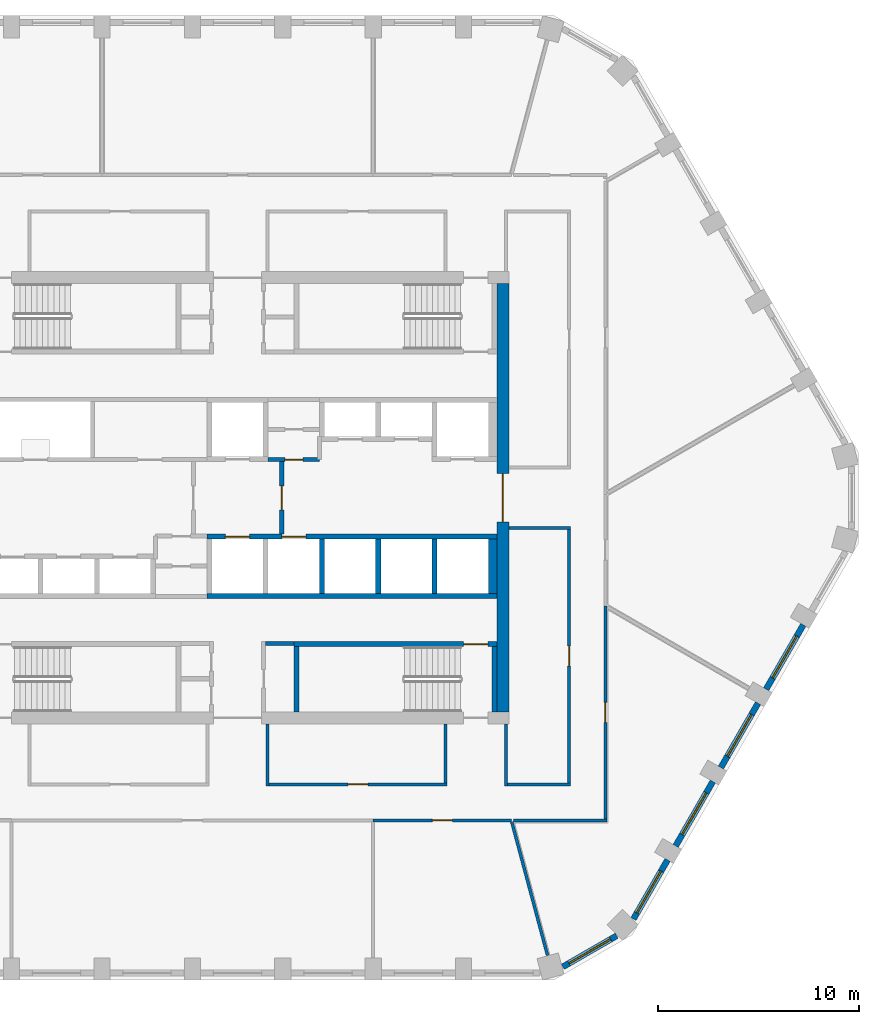
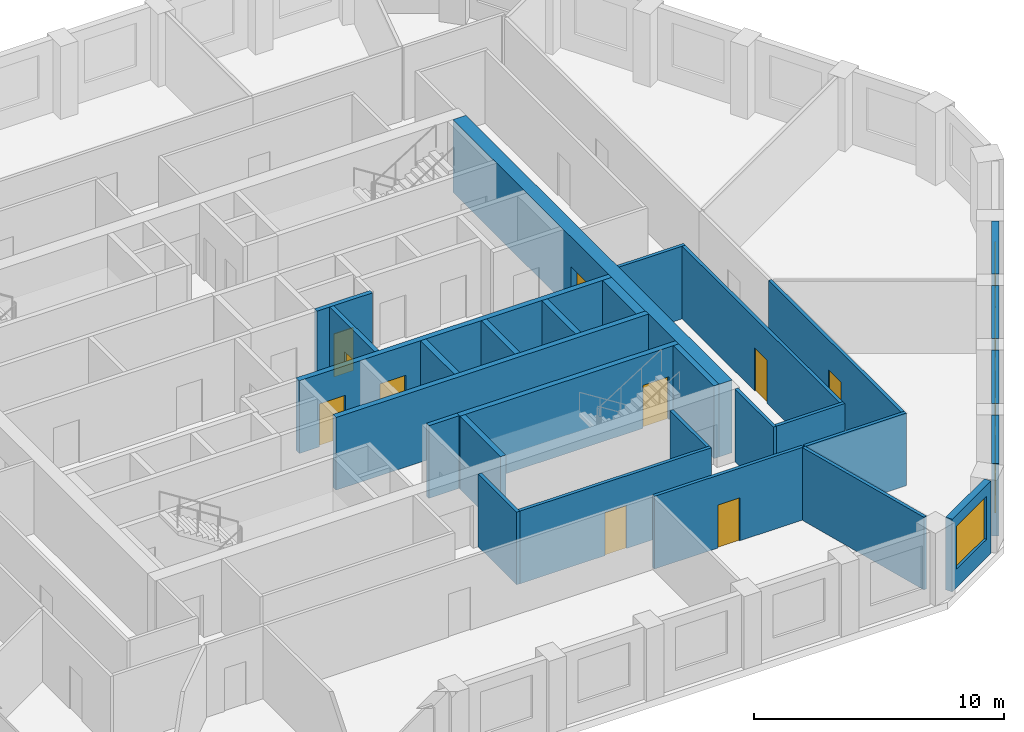
# One storey, part 4 of 13: 29 walls, 10 doors, 5 windows, 15 openings.
"""IFC4 building model written with IfcOpenShell, lengths in metres."""

import ifcopenshell
import ifcopenshell.guid

model = None  # the IFC model being written
_history = None  # IfcOwnerHistory: only IFC2X3 demands one
_inside = {}  # id of a spatial element -> (the spatial element, [elements in it])
_under = {}  # id of a project, library or spatial element -> (it, [spatial elements below it])
_declared = {}  # id of a project -> (the project, [libraries it declares])
_typed = {}  # id of a type object -> (the type object, [elements of that type])
_made_of = {}  # id of a material, layer set ... -> (it, [elements and type objects made of it])


def new_model(schema):
    """Start an empty IFC model of exactly this schema.

    Asked for "IFC4X3", IfcOpenShell would pick the latest addendum, in which some entities
    have other attributes; the version numbers below select the first issue.
    IFC2X3 requires an IfcOwnerHistory on every rooted entity: one is made here for all.
    """
    global model, _history
    if schema == "IFC4X3":
        model = ifcopenshell.file(schema_version=(4, 3, 0, 0))
    else:
        model = ifcopenshell.file(schema=schema)
    _inside.clear()
    _under.clear()
    _declared.clear()
    _typed.clear()
    _made_of.clear()
    _history = None
    if model.schema == "IFC2X3":
        org = make("IfcOrganization", Name="unknown")
        user = make(
            "IfcPersonAndOrganization",
            ThePerson=make("IfcPerson", FamilyName="unknown"),
            TheOrganization=org,
        )
        app = make(
            "IfcApplication",
            ApplicationDeveloper=org,
            Version="unknown",
            ApplicationFullName="unknown",
            ApplicationIdentifier="unknown",
        )
        _history = make(
            "IfcOwnerHistory",
            OwningUser=user,
            OwningApplication=app,
            ChangeAction="ADDED",
            CreationDate=0,
        )
    return model


def make(cls, **values):
    """One entity of the class cls with the attributes given. An attribute that is None is left unset."""
    return model.create_entity(
        cls, **{name: value for name, value in values.items() if value is not None}
    )


def rooted(cls, **values):
    """An entity with a GlobalId (a new one), such as an element, a storey or a relation."""
    return make(cls, GlobalId=ifcopenshell.guid.new(), OwnerHistory=_history, **values)


def si_unit(unit_type, name, prefix=None):
    """IfcSIUnit, for example si_unit("LENGTHUNIT", "METRE", prefix="MILLI")."""
    return make("IfcSIUnit", UnitType=unit_type, Prefix=prefix, Name=name)


def assignment(units):
    """IfcUnitAssignment: the units of a project."""
    return None if units is None else make("IfcUnitAssignment", Units=units)


def point(xyz):
    """IfcCartesianPoint."""
    return None if xyz is None else make("IfcCartesianPoint", Coordinates=xyz)


def direction(xyz):
    """IfcDirection."""
    return None if xyz is None else make("IfcDirection", DirectionRatios=xyz)


def frame(location, z_axis=None, x_axis=None):
    """IfcAxis2Placement3D, a coordinate frame: its origin and axes. An axis left out is left unset."""
    return make(
        "IfcAxis2Placement3D",
        Location=point(location),
        Axis=direction(z_axis),
        RefDirection=direction(x_axis),
    )


def frame_2d(location, x_axis=None):
    """IfcAxis2Placement2D, a coordinate frame in the plane: its origin and x axis."""
    return make(
        "IfcAxis2Placement2D", Location=point(location), RefDirection=direction(x_axis)
    )


def origin():
    """The frame at (0, 0, 0) with its axes left unset."""
    return frame((0.0, 0.0, 0.0))


def place(relative_to, where):
    """IfcLocalPlacement: puts the frame where relative to a parent placement (None: the world)."""
    return make(
        "IfcLocalPlacement", PlacementRelTo=relative_to, RelativePlacement=where
    )


def context(
    kind, dimensions, precision=None, world=None, true_north=None, identifier=None
):
    """IfcGeometricRepresentationContext, for example the 3D "Model" context."""
    return make(
        "IfcGeometricRepresentationContext",
        ContextIdentifier=identifier,
        ContextType=kind,
        CoordinateSpaceDimension=dimensions,
        Precision=precision,
        WorldCoordinateSystem=world,
        TrueNorth=true_north,
    )


def subcontext(parent, identifier, kind, view, scale=None):
    """IfcGeometricRepresentationSubContext, for example "Body" below "Model"."""
    return make(
        "IfcGeometricRepresentationSubContext",
        ContextIdentifier=identifier,
        ContextType=kind,
        ParentContext=parent,
        TargetScale=scale,
        TargetView=view,
    )


def project(units=None, contexts=None):
    """IfcProject with its units and contexts."""
    return rooted(
        "IfcProject",
        Name="project",
        RepresentationContexts=contexts,
        UnitsInContext=assignment(units),
    )


def spatial(cls, under=None, at=None, **own):
    """A site, building, storey or space (cls), placed at a placement, below another one or the project."""
    s = rooted(cls, ObjectPlacement=at, **own)
    if under is not None:
        _under.setdefault(under.id(), (under, []))[1].append(s)
    return s


def polyline(points):
    """IfcPolyline through the points."""
    return make("IfcPolyline", Points=[point(p) for p in points])


def profile(cls, at=None, kind="AREA", **sizes):
    """A parametric profile (cls). Its sizes go by their IFC names, for example OverallWidth=200.0."""
    return make(cls, ProfileType=kind, Position=at, **sizes)


def rectangle(**sizes):
    """IfcRectangleProfileDef."""
    return profile("IfcRectangleProfileDef", **sizes)


def outline(outer, holes=None, kind="AREA"):
    """IfcArbitraryClosedProfileDef: a profile drawn as a closed curve; with holes, ...WithVoids."""
    if holes is None:
        return make("IfcArbitraryClosedProfileDef", ProfileType=kind, OuterCurve=outer)
    return make(
        "IfcArbitraryProfileDefWithVoids",
        ProfileType=kind,
        OuterCurve=outer,
        InnerCurves=holes,
    )


def extrude(swept, where, along, depth):
    """IfcExtrudedAreaSolid: the profile swept, set in the frame where, extruded along a direction by depth."""
    return make(
        "IfcExtrudedAreaSolid",
        SweptArea=swept,
        Position=where,
        ExtrudedDirection=direction(along),
        Depth=depth,
    )


def shape(context_of_items, identifier, shape_type, items):
    """IfcShapeRepresentation: the items that make up one representation, for example the "Body"."""
    return make(
        "IfcShapeRepresentation",
        ContextOfItems=context_of_items,
        RepresentationIdentifier=identifier,
        RepresentationType=shape_type,
        Items=items,
    )


def material(Name=None, Category=None):
    """IfcMaterial."""
    return make("IfcMaterial", Name=Name, Category=Category)


def layer(
    of_material, thickness, ventilated=None, Name=None, Category=None, Priority=None
):
    """IfcMaterialLayer: one layer of a wall or slab, of a material (None: an air gap)."""
    return make(
        "IfcMaterialLayer",
        Material=of_material,
        LayerThickness=thickness,
        IsVentilated=ventilated,
        Name=Name,
        Category=Category,
        Priority=Priority,
    )


def layer_set(layers, Name=None):
    """IfcMaterialLayerSet."""
    return make("IfcMaterialLayerSet", MaterialLayers=layers, LayerSetName=Name)


def made_of(thing, what):
    """Note that an element or type object is made of a material, layer set ...; save() writes the relation."""
    if what is not None:
        _made_of.setdefault(what.id(), (what, []))[1].append(thing)
    return thing


def type_object(cls, material=None, **own):
    """A type object (cls), such as IfcWallType, which elements share."""
    return made_of(rooted(cls, **own), material)


def element(
    cls,
    number,
    at=None,
    inside=None,
    cuts=None,
    type_object=None,
    material=None,
    context=None,
    identifier="Body",
    shape_type=None,
    held_by="IfcProductDefinitionShape",
    body=None,
    shapes=None,
    **own,
):
    """One element of the class cls, such as IfcWall. Its Tag is "e" and its number.

    at: its placement. inside: the storey or other place that contains it. cuts: it is an
    opening in that element (IfcRelVoidsElement). A single representation is given by context,
    identifier, shape_type and body (its items); several are given by shapes. held_by: the class
    of the entity that holds the representations. save() writes the other relations.
    """
    e = rooted(cls, Tag="e%d" % number, ObjectPlacement=at, **own)
    if body is not None:
        shapes = [shape(context, identifier, shape_type, body)]
    if shapes is not None:
        e.Representation = make(held_by, Representations=shapes)
    if inside is not None:
        _inside.setdefault(inside.id(), (inside, []))[1].append(e)
    if cuts is not None:
        rooted(
            "IfcRelVoidsElement", RelatingBuildingElement=cuts, RelatedOpeningElement=e
        )
    if type_object is not None:
        _typed.setdefault(type_object.id(), (type_object, []))[1].append(e)
    return made_of(e, material)


def fill(opening, filler):
    """IfcRelFillsElement: the door or window that sits in an opening."""
    return rooted(
        "IfcRelFillsElement",
        RelatingOpeningElement=opening,
        RelatedBuildingElement=filler,
    )


def aggregate(whole, parts):
    """IfcRelAggregates: a whole, such as a stair, and the parts it consists of."""
    return rooted("IfcRelAggregates", RelatingObject=whole, RelatedObjects=parts)


def save(model, path):
    """Write the relations noted so far, then the file.

    IfcRelAggregates (storeys below a building ...), IfcRelContainedInSpatialStructure (elements
    in a storey), IfcRelDefinesByType, IfcRelAssociatesMaterial and IfcRelDeclares: one each for
    every whole, place, type object, material and project.
    """
    for whole, parts in _under.values():
        aggregate(whole, parts)
    for where, things in _inside.values():
        rooted(
            "IfcRelContainedInSpatialStructure",
            RelatedElements=things,
            RelatingStructure=where,
        )
    for kind, things in _typed.values():
        rooted("IfcRelDefinesByType", RelatedObjects=things, RelatingType=kind)
    for what, things in _made_of.values():
        rooted("IfcRelAssociatesMaterial", RelatedObjects=things, RelatingMaterial=what)
    for by, libraries in _declared.values():
        rooted("IfcRelDeclares", RelatingContext=by, RelatedDefinitions=libraries)
    model.write(path)


model = new_model("IFC4")

# Units and contexts
model_context = context("Model", 3, precision=1e-05, world=origin(), true_north=direction((0.0, 1.0)))
body_context = subcontext(model_context, "Body", "Model", "MODEL_VIEW")
ifc_project = project(units=[si_unit("LENGTHUNIT", "METRE"), si_unit("AREAUNIT", "SQUARE_METRE"), si_unit("VOLUMEUNIT", "CUBIC_METRE"), si_unit("PLANEANGLEUNIT", "RADIAN"), si_unit("MASSUNIT", "GRAM", prefix="KILO")], contexts=[model_context])

# Site, building, storey
site_placement = place(None, origin())
site = spatial("IfcSite", under=ifc_project, at=site_placement, CompositionType="ELEMENT")
building_placement = place(site_placement, origin())
building = spatial("IfcBuilding", under=site, at=building_placement, Name="Dhurran Vertical Campus", CompositionType="ELEMENT")
storey_placement = place(building_placement, frame((0.0, 0.0, 187.800048828125)))
storey = spatial("IfcBuildingStorey", under=building, at=storey_placement, Name="L46", CompositionType="ELEMENT", Elevation=187.800048828125)

# Wall, opening, window
ifc_material_1 = material(Name="Precast concrete C50/60", Category="concrete")
ifc_layer_1 = layer(ifc_material_1, 0.300048828125)
ifc_layer_set_1 = layer_set([ifc_layer_1], Name="Precast concrete C50/60")
wall_type_1 = type_object("IfcWallType", Name="Precast spandrel wall 300", PredefinedType="SOLIDWALL", material=ifc_layer_set_1)
wall_1_placement = place(storey_placement, frame((16.184326171875, -23.330810546875, 0.0), z_axis=(0.0, 0.0, 1.0), x_axis=(0.865994975416, 0.500052699777, 0.0)))
wall_1 = element("IfcWall", 1, at=wall_1_placement, inside=storey, type_object=wall_type_1, Name="EW1 L46.07", PredefinedType="SOLIDWALL", context=body_context, shape_type="SweptSolid", body=[
    extrude(rectangle(XDim=3.093017578125, YDim=0.300048828125, at=frame_2d((1.54638671875, 0.0))), origin(), (0.0, 0.0, 1.0), 3.550048828125),
])
opening_1_placement = place(wall_1_placement, frame((0.346435546875, 0.0, 0.89990234375)))
opening_1 = element("IfcOpeningElement", 2, at=opening_1_placement, cuts=wall_1, Name="Opening WT1", PredefinedType="OPENING", context=body_context, shape_type="SweptSolid", body=[
    extrude(rectangle(XDim=2.39990234375, YDim=2.10009765625, at=frame_2d((1.199951171875, 1.050048828125))), frame((0.0, 0.159912109375, 0.0), z_axis=(0.0, -1.0, 0.0), x_axis=(1.0, 0.0, 0.0)), (0.0, 0.0, 1.0), 0.320068359375),
])
ifc_material_2 = material(Name="Aluminium frame with solar-control glass", Category="aluminium")
window_type = type_object("IfcWindowType", Name="Punched window 2400 x 2100", PartitioningType="SINGLE_PANEL", PredefinedType="WINDOW", material=ifc_material_2)
window_1_placement = place(opening_1_placement, origin())
window_1 = element("IfcWindow", 3, at=window_1_placement, inside=storey, type_object=window_type, Name="WT1 L46.07", OverallHeight=2.10009765625, OverallWidth=2.39990234375, PartitioningType="SINGLE_PANEL", PredefinedType="WINDOW", context=body_context, shape_type="SweptSolid", body=[
    extrude(rectangle(XDim=2.39990234375, YDim=2.10009765625, at=frame_2d((1.199951171875, 1.050048828125))), frame((0.0, 0.030029296875, 0.0), z_axis=(0.0, -1.0, 0.0), x_axis=(1.0, 0.0, 0.0)), (0.0, 0.0, 1.0), 0.06005859375),
])
fill(opening_1, window_1)

wall_2_placement = place(storey_placement, frame((19.69580078125, -20.951171875, 0.0), z_axis=(0.0, 0.0, 1.0), x_axis=(0.500012868213, 0.866017974191, 0.0)))
wall_2 = element("IfcWall", 4, at=wall_2_placement, inside=storey, type_object=wall_type_1, Name="EW1 L46.08", PredefinedType="SOLIDWALL", context=body_context, shape_type="SweptSolid", body=[
    extrude(rectangle(XDim=3.39599609375, YDim=0.300048828125, at=frame_2d((1.697998046875, 0.0))), origin(), (0.0, 0.0, 1.0), 3.550048828125),
])
opening_2_placement = place(wall_2_placement, frame((0.346435546875, 0.0, 0.89990234375)))
opening_2 = element("IfcOpeningElement", 5, at=opening_2_placement, cuts=wall_2, Name="Opening WT1", PredefinedType="OPENING", context=body_context, shape_type="SweptSolid", body=[
    extrude(rectangle(XDim=2.39990234375, YDim=2.10009765625, at=frame_2d((1.199951171875, 1.050048828125))), frame((0.0, 0.159912109375, 0.0), z_axis=(0.0, -1.0, 0.0), x_axis=(1.0, 0.0, 0.0)), (0.0, 0.0, 1.0), 0.320068359375),
])
window_2_placement = place(opening_2_placement, origin())
window_2 = element("IfcWindow", 6, at=window_2_placement, inside=storey, type_object=window_type, Name="WT1 L46.08", OverallHeight=2.10009765625, OverallWidth=2.39990234375, PartitioningType="SINGLE_PANEL", PredefinedType="WINDOW", context=body_context, shape_type="SweptSolid", body=[
    extrude(rectangle(XDim=2.39990234375, YDim=2.10009765625, at=frame_2d((1.199951171875, 1.050048828125))), frame((0.0, 0.030029296875, 0.0), z_axis=(0.0, -1.0, 0.0), x_axis=(1.0, 0.0, 0.0)), (0.0, 0.0, 1.0), 0.06005859375),
])
fill(opening_2, window_2)

wall_3_placement = place(storey_placement, frame((21.794189453125, -17.316650390625, 0.0), z_axis=(0.0, 0.0, 1.0), x_axis=(0.500029062817, 0.866008623709, 0.0)))
wall_3 = element("IfcWall", 7, at=wall_3_placement, inside=storey, type_object=wall_type_1, Name="EW1 L46.09", PredefinedType="SOLIDWALL", context=body_context, shape_type="SweptSolid", body=[
    extrude(rectangle(XDim=3.698974609375, YDim=0.300048828125, at=frame_2d((1.849609375, 0.0))), origin(), (0.0, 0.0, 1.0), 3.550048828125),
])
opening_3_placement = place(wall_3_placement, frame((0.6494140625, 0.0, 0.89990234375)))
opening_3 = element("IfcOpeningElement", 8, at=opening_3_placement, cuts=wall_3, Name="Opening WT1", PredefinedType="OPENING", context=body_context, shape_type="SweptSolid", body=[
    extrude(rectangle(XDim=2.39990234375, YDim=2.10009765625, at=frame_2d((1.199951171875, 1.050048828125))), frame((0.0, 0.159912109375, 0.0), z_axis=(0.0, -1.0, 0.0), x_axis=(1.0, 0.0, 0.0)), (0.0, 0.0, 1.0), 0.320068359375),
])
window_3_placement = place(opening_3_placement, origin())
window_3 = element("IfcWindow", 9, at=window_3_placement, inside=storey, type_object=window_type, Name="WT1 L46.09", OverallHeight=2.10009765625, OverallWidth=2.39990234375, PartitioningType="SINGLE_PANEL", PredefinedType="WINDOW", context=body_context, shape_type="SweptSolid", body=[
    extrude(rectangle(XDim=2.39990234375, YDim=2.10009765625, at=frame_2d((1.199951171875, 1.050048828125))), frame((0.0, 0.030029296875, 0.0), z_axis=(0.0, -1.0, 0.0), x_axis=(1.0, 0.0, 0.0)), (0.0, 0.0, 1.0), 0.06005859375),
])
fill(opening_3, window_3)

wall_4_placement = place(storey_placement, frame((24.044189453125, -13.41943359375, 0.0), z_axis=(0.0, 0.0, 1.0), x_axis=(0.500029062817, 0.866008623709, 0.0)))
wall_4 = element("IfcWall", 10, at=wall_4_placement, inside=storey, type_object=wall_type_1, Name="EW1 L46.10", PredefinedType="SOLIDWALL", context=body_context, shape_type="SweptSolid", body=[
    extrude(rectangle(XDim=3.698974609375, YDim=0.300048828125, at=frame_2d((1.849609375, 0.0))), origin(), (0.0, 0.0, 1.0), 3.550048828125),
])
opening_4_placement = place(wall_4_placement, frame((0.6494140625, 0.0, 0.89990234375)))
opening_4 = element("IfcOpeningElement", 11, at=opening_4_placement, cuts=wall_4, Name="Opening WT1", PredefinedType="OPENING", context=body_context, shape_type="SweptSolid", body=[
    extrude(rectangle(XDim=2.39990234375, YDim=2.10009765625, at=frame_2d((1.199951171875, 1.050048828125))), frame((0.0, 0.159912109375, 0.0), z_axis=(0.0, -1.0, 0.0), x_axis=(1.0, 0.0, 0.0)), (0.0, 0.0, 1.0), 0.320068359375),
])
window_4_placement = place(opening_4_placement, origin())
window_4 = element("IfcWindow", 12, at=window_4_placement, inside=storey, type_object=window_type, Name="WT1 L46.10", OverallHeight=2.10009765625, OverallWidth=2.39990234375, PartitioningType="SINGLE_PANEL", PredefinedType="WINDOW", context=body_context, shape_type="SweptSolid", body=[
    extrude(rectangle(XDim=2.39990234375, YDim=2.10009765625, at=frame_2d((1.199951171875, 1.050048828125))), frame((0.0, 0.030029296875, 0.0), z_axis=(0.0, -1.0, 0.0), x_axis=(1.0, 0.0, 0.0)), (0.0, 0.0, 1.0), 0.06005859375),
])
fill(opening_4, window_4)

wall_5_placement = place(storey_placement, frame((26.294189453125, -9.5224609375, 0.0), z_axis=(0.0, 0.0, 1.0), x_axis=(0.500029062817, 0.866008623709, 0.0)))
wall_5 = element("IfcWall", 13, at=wall_5_placement, inside=storey, type_object=wall_type_1, Name="EW1 L46.11", PredefinedType="SOLIDWALL", context=body_context, shape_type="SweptSolid", body=[
    extrude(rectangle(XDim=3.698974609375, YDim=0.300048828125, at=frame_2d((1.849609375, 0.0))), origin(), (0.0, 0.0, 1.0), 3.550048828125),
])
opening_5_placement = place(wall_5_placement, frame((0.6494140625, 0.0, 0.89990234375)))
opening_5 = element("IfcOpeningElement", 14, at=opening_5_placement, cuts=wall_5, Name="Opening WT1", PredefinedType="OPENING", context=body_context, shape_type="SweptSolid", body=[
    extrude(rectangle(XDim=2.39990234375, YDim=2.10009765625, at=frame_2d((1.199951171875, 1.050048828125))), frame((0.0, 0.159912109375, 0.0), z_axis=(0.0, -1.0, 0.0), x_axis=(1.0, 0.0, 0.0)), (0.0, 0.0, 1.0), 0.320068359375),
])
window_5_placement = place(opening_5_placement, origin())
window_5 = element("IfcWindow", 15, at=window_5_placement, inside=storey, type_object=window_type, Name="WT1 L46.11", OverallHeight=2.10009765625, OverallWidth=2.39990234375, PartitioningType="SINGLE_PANEL", PredefinedType="WINDOW", context=body_context, shape_type="SweptSolid", body=[
    extrude(rectangle(XDim=2.39990234375, YDim=2.10009765625, at=frame_2d((1.199951171875, 1.050048828125))), frame((0.0, 0.030029296875, 0.0), z_axis=(0.0, -1.0, 0.0), x_axis=(1.0, 0.0, 0.0)), (0.0, 0.0, 1.0), 0.06005859375),
])
fill(opening_5, window_5)

# Wall, opening, door
ifc_material_3 = material(Name="Concrete C50/60", Category="concrete")
ifc_layer_2 = layer(ifc_material_3, 0.60009765625)
ifc_layer_set_2 = layer_set([ifc_layer_2], Name="Concrete C50/60")
wall_type_2 = type_object("IfcWallType", Name="co-CORE-WALL-C2-600", PredefinedType="SHEAR", material=ifc_layer_set_2)
wall_6_placement = place(storey_placement, frame((13.199951171875, -10.64990234375, 0.0), z_axis=(0.0, 0.0, 1.0), x_axis=(0.0, 1.0, 0.0)))
wall_6 = element("IfcWall", 16, at=wall_6_placement, inside=storey, type_object=wall_type_2, Name="Core wall E L46", PredefinedType="SHEAR", context=body_context, shape_type="SweptSolid", body=[
    extrude(rectangle(XDim=21.2998046875, YDim=0.60009765625, at=frame_2d((10.64990234375, 0.0))), origin(), (0.0, 0.0, 1.0), 3.550048828125),
])
opening_6_placement = place(wall_6_placement, frame((9.449951171875, 0.0, 0.0)))
opening_6 = element("IfcOpeningElement", 17, at=opening_6_placement, cuts=wall_6, Name="Opening CL2", PredefinedType="OPENING", context=body_context, shape_type="SweptSolid", body=[
    extrude(rectangle(XDim=2.39990234375, YDim=2.10009765625, at=frame_2d((1.199951171875, 1.050048828125))), frame((0.0, 0.31005859375, 0.0), z_axis=(0.0, -1.0, 0.0), x_axis=(1.0, 0.0, 0.0)), (0.0, 0.0, 1.0), 0.6201171875),
])
ifc_material_4 = material(Name="Fire-rated glazed door set")
door_type_1 = type_object("IfcDoorType", Name="co-D-LOBBY 2400x2100", OperationType="DOUBLE_DOOR_DOUBLE_SWING", PredefinedType="DOOR", material=ifc_material_4)
door_1_placement = place(opening_6_placement, origin())
door_1 = element("IfcDoor", 18, at=door_1_placement, inside=storey, type_object=door_type_1, Name="Lift lobby door E L46", OperationType="DOUBLE_DOOR_DOUBLE_SWING", OverallHeight=2.10009765625, OverallWidth=2.39990234375, PredefinedType="DOOR", context=body_context, shape_type="SweptSolid", body=[
    extrude(rectangle(XDim=2.39990234375, YDim=2.10009765625, at=frame_2d((1.199951171875, 1.050048828125))), frame((0.0, 0.02490234375, 0.0), z_axis=(0.0, -1.0, 0.0), x_axis=(1.0, 0.0, 0.0)), (0.0, 0.0, 1.0), 0.050048828125),
])
fill(opening_6, door_1)

ifc_material_5 = material(Name="Fire-rated masonry blockwork", Category="masonry")
ifc_layer_3 = layer(ifc_material_5, 0.199951171875)
ifc_layer_set_3 = layer_set([ifc_layer_3], Name="Fire-rated masonry blockwork")
wall_type_3 = type_object("IfcWallType", Name="co-FIRE-PARTITION-200", PredefinedType="PARTITIONING", material=ifc_layer_set_3)
wall_7_placement = place(storey_placement, frame((2.199951171875, -1.800048828125, 0.0), z_axis=(0.0, 0.0, 1.0), x_axis=(0.0, 1.0, 0.0)))
wall_7 = element("IfcWall", 19, at=wall_7_placement, inside=storey, type_object=wall_type_3, Name="Firefighting lobby wall E L46", PredefinedType="PARTITIONING", context=body_context, shape_type="SweptSolid", body=[
    extrude(rectangle(XDim=3.60009765625, YDim=0.199951171875, at=frame_2d((1.800048828125, 0.0))), origin(), (0.0, 0.0, 1.0), 3.550048828125),
])
opening_7_placement = place(wall_7_placement, frame((1.199951171875, 0.0, 0.0)))
opening_7 = element("IfcOpeningElement", 20, at=opening_7_placement, cuts=wall_7, Name="Opening FL2", PredefinedType="OPENING", context=body_context, shape_type="SweptSolid", body=[
    extrude(rectangle(XDim=1.199951171875, YDim=2.10009765625, at=frame_2d((0.60009765625, 1.050048828125))), frame((0.0, 0.10986328125, 0.0), z_axis=(0.0, -1.0, 0.0), x_axis=(1.0, 0.0, 0.0)), (0.0, 0.0, 1.0), 0.219970703125),
])
ifc_material_6 = material(Name="Fire-rated steel door set", Category="steel")
door_type_2 = type_object("IfcDoorType", Name="co-D-FFLOBBY 1200x2100", OperationType="SINGLE_SWING_LEFT", PredefinedType="DOOR", material=ifc_material_6)
door_2_placement = place(opening_7_placement, origin())
door_2 = element("IfcDoor", 21, at=door_2_placement, inside=storey, type_object=door_type_2, Name="Firefighting lobby door E L46", OperationType="SINGLE_SWING_LEFT", OverallHeight=2.10009765625, OverallWidth=1.199951171875, PredefinedType="DOOR", context=body_context, shape_type="SweptSolid", body=[
    extrude(rectangle(XDim=1.199951171875, YDim=2.10009765625, at=frame_2d((0.60009765625, 1.050048828125))), frame((0.0, 0.02490234375, 0.0), z_axis=(0.0, -1.0, 0.0), x_axis=(1.0, 0.0, 0.0)), (0.0, 0.0, 1.0), 0.050048828125),
])
fill(opening_7, door_2)

# Wall
wall_8_placement = place(storey_placement, frame((1.39990234375, -7.25, 0.0), z_axis=(0.0, 0.0, 1.0), x_axis=(1.0, 0.0, 0.0)))
element("IfcWall", 22, at=wall_8_placement, inside=storey, type_object=wall_type_3, Name="Core partition sl-SE-S L46", PredefinedType="PARTITIONING", context=body_context, shape_type="SweptSolid", body=[
    extrude(rectangle(XDim=1.400146484375, YDim=0.199951171875, at=frame_2d((0.7001953125, 0.0))), origin(), (0.0, 0.0, 1.0), 3.550048828125),
])

# Wall, opening, door
wall_9_placement = place(storey_placement, frame((1.52490234375, 1.89990234375, 0.0), z_axis=(0.0, 0.0, 1.0), x_axis=(1.0, 0.0, 0.0)))
wall_9 = element("IfcWall", 23, at=wall_9_placement, inside=storey, type_object=wall_type_3, Name="Core partition fr-N1-f L46", PredefinedType="PARTITIONING", context=body_context, shape_type="SweptSolid", body=[
    extrude(rectangle(XDim=2.550048828125, YDim=0.199951171875, at=frame_2d((1.27490234375, 0.0))), origin(), (0.0, 0.0, 1.0), 3.550048828125),
])
opening_8_placement = place(wall_9_placement, frame((0.824951171875, 0.0, 0.0)))
opening_8 = element("IfcOpeningElement", 24, at=opening_8_placement, cuts=wall_9, Name="Opening T13-C11", PredefinedType="OPENING", context=body_context, shape_type="SweptSolid", body=[
    extrude(rectangle(XDim=0.89990234375, YDim=2.10009765625, at=frame_2d((0.449951171875, 1.050048828125))), frame((0.0, 0.10986328125, 0.0), z_axis=(0.0, -1.0, 0.0), x_axis=(1.0, 0.0, 0.0)), (0.0, 0.0, 1.0), 0.219970703125),
])
ifc_material_7 = material(Name="Fire-rated timber door set", Category="wood")
door_type_3 = type_object("IfcDoorType", Name="co-D-ROOM 900x2100", OperationType="SINGLE_SWING_LEFT", PredefinedType="DOOR", material=ifc_material_7)
door_3_placement = place(opening_8_placement, origin())
door_3 = element("IfcDoor", 25, at=door_3_placement, inside=storey, type_object=door_type_3, Name="Pantry door L46", OperationType="SINGLE_SWING_LEFT", OverallHeight=2.10009765625, OverallWidth=0.89990234375, PredefinedType="DOOR", context=body_context, shape_type="SweptSolid", body=[
    extrude(rectangle(XDim=0.89990234375, YDim=2.10009765625, at=frame_2d((0.449951171875, 1.050048828125))), frame((0.0, 0.02490234375, 0.0), z_axis=(0.0, -1.0, 0.0), x_axis=(1.0, 0.0, 0.0)), (0.0, 0.0, 1.0), 0.050048828125),
])
fill(opening_8, door_3)

# Wall, openings, doors
ifc_material_8 = material(Name="Concrete C50/60", Category="concrete")
ifc_layer_4 = layer(ifc_material_8, 0.25)
ifc_layer_set_4 = layer_set([ifc_layer_4], Name="Concrete C50/60")
wall_type_4 = type_object("IfcWallType", Name="co-SHAFT-FRONT-250", PredefinedType="SHEAR", material=ifc_layer_set_4)
wall_10_placement = place(storey_placement, frame((-1.52490234375, -1.925048828125, 0.0), z_axis=(0.0, 0.0, 1.0), x_axis=(1.0, 0.0, 0.0)))
wall_10 = element("IfcWall", 26, at=wall_10_placement, inside=storey, type_object=wall_type_4, Name="Lift landing wall S L46", PredefinedType="SHEAR", context=body_context, shape_type="SweptSolid", body=[
    extrude(rectangle(XDim=14.4248046875, YDim=0.25, at=frame_2d((7.21240234375, 0.0))), origin(), (0.0, 0.0, 1.0), 3.550048828125),
])
opening_9_placement = place(wall_10_placement, frame((0.925048828125, 0.0, 0.0)))
opening_9 = element("IfcOpeningElement", 27, at=opening_9_placement, cuts=wall_10, Name="Opening LD", PredefinedType="OPENING", context=body_context, shape_type="SweptSolid", body=[
    extrude(rectangle(XDim=1.199951171875, YDim=2.10009765625, at=frame_2d((0.60009765625, 1.050048828125))), frame((0.0, 0.135009765625, 0.0), z_axis=(0.0, -1.0, 0.0), x_axis=(1.0, 0.0, 0.0)), (0.0, 0.0, 1.0), 0.27001953125),
])
opening_10_placement = place(wall_10_placement, frame((3.72509765625, 0.0, 0.0)))
opening_10 = element("IfcOpeningElement", 28, at=opening_10_placement, cuts=wall_10, Name="Opening LD", PredefinedType="OPENING", context=body_context, shape_type="SweptSolid", body=[
    extrude(rectangle(XDim=1.199951171875, YDim=2.10009765625, at=frame_2d((0.60009765625, 1.050048828125))), frame((0.0, 0.135009765625, 0.0), z_axis=(0.0, -1.0, 0.0), x_axis=(1.0, 0.0, 0.0)), (0.0, 0.0, 1.0), 0.27001953125),
])
ifc_material_9 = material(Name="Stainless steel landing door", Category="steel")
door_type_4 = type_object("IfcDoorType", Name="co-D-LANDING 1200x2100", OperationType="DOUBLE_DOOR_SLIDING", PredefinedType="DOOR", material=ifc_material_9)
door_4_placement = place(opening_9_placement, origin())
door_4 = element("IfcDoor", 29, at=door_4_placement, inside=storey, type_object=door_type_4, Name="Landing door FF2 L46", OperationType="DOUBLE_DOOR_SLIDING", OverallHeight=2.10009765625, OverallWidth=1.199951171875, PredefinedType="DOOR", context=body_context, shape_type="SweptSolid", body=[
    extrude(rectangle(XDim=1.199951171875, YDim=2.10009765625, at=frame_2d((0.60009765625, 1.050048828125))), frame((0.0, 0.02490234375, 0.0), z_axis=(0.0, -1.0, 0.0), x_axis=(1.0, 0.0, 0.0)), (0.0, 0.0, 1.0), 0.050048828125),
])
fill(opening_9, door_4)
door_5_placement = place(opening_10_placement, origin())
door_5 = element("IfcDoor", 30, at=door_5_placement, inside=storey, type_object=door_type_4, Name="Landing door SV1 L46", OperationType="DOUBLE_DOOR_SLIDING", OverallHeight=2.10009765625, OverallWidth=1.199951171875, PredefinedType="DOOR", context=body_context, shape_type="SweptSolid", body=[
    extrude(rectangle(XDim=1.199951171875, YDim=2.10009765625, at=frame_2d((0.60009765625, 1.050048828125))), frame((0.0, 0.02490234375, 0.0), z_axis=(0.0, -1.0, 0.0), x_axis=(1.0, 0.0, 0.0)), (0.0, 0.0, 1.0), 0.050048828125),
])
fill(opening_10, door_5)

# Walls
ifc_material_10 = material(Name="Concrete C50/60", Category="concrete")
ifc_layer_5 = layer(ifc_material_10, 0.25)
ifc_layer_set_5 = layer_set([ifc_layer_5], Name="Concrete C50/60")
wall_type_5 = type_object("IfcWallType", Name="co-SHAFT-MASS-250", PredefinedType="SHEAR", material=ifc_layer_set_5)
wall_11_placement = place(storey_placement, origin())
element("IfcWall", 31, at=wall_11_placement, inside=storey, type_object=wall_type_5, Name="Lift shaft wall S L46 2", PredefinedType="SHEAR", context=body_context, shape_type="SweptSolid", body=[
    extrude(outline(polyline([(-1.52490234375, -5.0), (12.89990234375, -5.0), (12.89990234375, -4.75), (-1.52490234375, -4.75), (-1.52490234375, -5.0)])), origin(), (0.0, 0.0, 1.0), 3.550048828125),
])
wall_12_placement = place(storey_placement, origin())
element("IfcWall", 32, at=wall_12_placement, inside=storey, type_object=wall_type_5, Name="Lift shaft wall S L46 9", PredefinedType="SHEAR", context=body_context, shape_type="SweptSolid", body=[
    extrude(outline(polyline([(4.074951171875, -4.75), (4.324951171875, -4.75), (4.324951171875, -2.050048828125), (4.074951171875, -2.050048828125), (4.074951171875, -4.75)])), origin(), (0.0, 0.0, 1.0), 3.550048828125),
])
wall_13_placement = place(storey_placement, origin())
element("IfcWall", 33, at=wall_13_placement, inside=storey, type_object=wall_type_5, Name="Lift shaft wall S L46 10", PredefinedType="SHEAR", context=body_context, shape_type="SweptSolid", body=[
    extrude(outline(polyline([(6.875, -4.75), (7.125, -4.75), (7.125, -2.050048828125), (6.875, -2.050048828125), (6.875, -4.75)])), origin(), (0.0, 0.0, 1.0), 3.550048828125),
])
wall_14_placement = place(storey_placement, origin())
element("IfcWall", 34, at=wall_14_placement, inside=storey, type_object=wall_type_5, Name="Lift shaft wall S L46 11", PredefinedType="SHEAR", context=body_context, shape_type="SweptSolid", body=[
    extrude(outline(polyline([(9.675048828125, -4.75), (9.925048828125, -4.75), (9.925048828125, -2.050048828125), (9.675048828125, -2.050048828125), (9.675048828125, -4.75)])), origin(), (0.0, 0.0, 1.0), 3.550048828125),
])
wall_15_placement = place(storey_placement, origin())
element("IfcWall", 35, at=wall_15_placement, inside=storey, type_object=wall_type_5, Name="Lift shaft wall S L46 12", PredefinedType="SHEAR", context=body_context, shape_type="SweptSolid", body=[
    extrude(outline(polyline([(12.47509765625, -4.75), (12.89990234375, -4.75), (12.89990234375, -2.050048828125), (12.47509765625, -2.050048828125), (12.47509765625, -4.75)])), origin(), (0.0, 0.0, 1.0), 3.550048828125),
])

# Wall, opening, door
ifc_material_11 = material(Name="Concrete C40/50", Category="concrete")
ifc_layer_6 = layer(ifc_material_11, 0.25)
ifc_layer_set_6 = layer_set([ifc_layer_6], Name="Concrete C40/50")
wall_type_6 = type_object("IfcWallType", Name="co-STAIR-WALL-250", PredefinedType="SHEAR", material=ifc_layer_set_6)
wall_16_placement = place(storey_placement, frame((2.800048828125, -7.27490234375, 0.0), z_axis=(0.0, 0.0, 1.0), x_axis=(1.0, 0.0, 0.0)))
wall_16 = element("IfcWall", 36, at=wall_16_placement, inside=storey, type_object=wall_type_6, Name="Stair ST4 enclosure wall L46", PredefinedType="SHEAR", context=body_context, shape_type="SweptSolid", body=[
    extrude(rectangle(XDim=10.099853515625, YDim=0.25, at=frame_2d((5.0498046875, 0.0))), origin(), (0.0, 0.0, 1.0), 3.550048828125),
])
opening_11_placement = place(wall_16_placement, frame((8.449951171875, 0.0, 0.0)))
opening_11 = element("IfcOpeningElement", 37, at=opening_11_placement, cuts=wall_16, Name="Opening SD4", PredefinedType="OPENING", context=body_context, shape_type="SweptSolid", body=[
    extrude(rectangle(XDim=1.199951171875, YDim=2.10009765625, at=frame_2d((0.60009765625, 1.050048828125))), frame((0.0, 0.135009765625, 0.0), z_axis=(0.0, -1.0, 0.0), x_axis=(1.0, 0.0, 0.0)), (0.0, 0.0, 1.0), 0.27001953125),
])
ifc_material_12 = material(Name="Fire-rated steel door set", Category="steel")
door_type_5 = type_object("IfcDoorType", Name="co-D-STAIR 1200x2100", OperationType="SINGLE_SWING_LEFT", PredefinedType="DOOR", material=ifc_material_12)
door_6_placement = place(opening_11_placement, origin())
door_6 = element("IfcDoor", 38, at=door_6_placement, inside=storey, type_object=door_type_5, Name="Stair ST4 door L46", OperationType="SINGLE_SWING_LEFT", OverallHeight=2.10009765625, OverallWidth=1.199951171875, PredefinedType="DOOR", context=body_context, shape_type="SweptSolid", body=[
    extrude(rectangle(XDim=1.199951171875, YDim=2.10009765625, at=frame_2d((0.60009765625, 1.050048828125))), frame((0.0, 0.02490234375, 0.0), z_axis=(0.0, -1.0, 0.0), x_axis=(1.0, 0.0, 0.0)), (0.0, 0.0, 1.0), 0.050048828125),
])
fill(opening_11, door_6)

# Walls
for number, where, z_axis, x_axis, name in (
    (39, (2.925048828125, -10.64990234375, 0.0), (0.0, 0.0, 1.0), (0.0, 1.0, 0.0), "Stair ST4 enclosure wall L46"),
    (40, (12.77490234375, -10.64990234375, 0.0), (0.0, 0.0, 1.0), (0.0, 1.0, 0.0), "Stair ST4 enclosure wall L46"),
):
    element("IfcWall", number, at=place(storey_placement, frame(where, z_axis=z_axis, x_axis=x_axis)), inside=storey, type_object=wall_type_6, Name=name, PredefinedType="SHEAR", context=body_context, shape_type="SweptSolid", body=[
        extrude(rectangle(XDim=3.25, YDim=0.25, at=frame_2d((1.625, 0.0))), origin(), (0.0, 0.0, 1.0), 3.550048828125),
    ])
ifc_material_13 = material(Name="Gypsum board corridor wall on steel studs", Category="steel")
ifc_layer_7 = layer(ifc_material_13, 0.14990234375)
ifc_layer_set_7 = layer_set([ifc_layer_7], Name="Gypsum board corridor wall on steel studs")
wall_type_7 = type_object("IfcWallType", Name="fl-CW-150 corridor wall", PredefinedType="PARTITIONING", material=ifc_layer_set_7)
wall_17_placement = place(storey_placement, frame((1.5, -14.324951171875, 0.0), z_axis=(0.0, 0.0, 1.0), x_axis=(0.0, 1.0, 0.0)))
element("IfcWall", 41, at=wall_17_placement, inside=storey, type_object=wall_type_7, Name="Partition 46-34", PredefinedType="PARTITIONING", context=body_context, shape_type="SweptSolid", body=[
    extrude(rectangle(XDim=3.074951171875, YDim=0.14990234375, at=frame_2d((1.53759765625, 0.0))), origin(), (0.0, 0.0, 1.0), 3.550048828125),
])

# Wall, opening, door
wall_18_placement = place(storey_placement, frame((10.425048828125, -14.25, 0.0), z_axis=(0.0, 0.0, 1.0), x_axis=(-1.0, 0.0, 0.0)))
wall_18 = element("IfcWall", 42, at=wall_18_placement, inside=storey, type_object=wall_type_7, Name="Partition 46-35", PredefinedType="PARTITIONING", context=body_context, shape_type="SweptSolid", body=[
    extrude(rectangle(XDim=8.85009765625, YDim=0.14990234375, at=frame_2d((4.425048828125, 0.0))), origin(), (0.0, 0.0, 1.0), 3.550048828125),
])
opening_12_placement = place(wall_18_placement, frame((3.925048828125, 0.0, 0.0)))
opening_12 = element("IfcOpeningElement", 43, at=opening_12_placement, cuts=wall_18, Name="Opening T13.14", PredefinedType="OPENING", context=body_context, shape_type="SweptSolid", body=[
    extrude(rectangle(XDim=1.0, YDim=2.10009765625, at=frame_2d((0.5, 1.050048828125))), frame((0.0, 0.0849609375, 0.0), z_axis=(0.0, -1.0, 0.0), x_axis=(1.0, 0.0, 0.0)), (0.0, 0.0, 1.0), 0.169921875),
])
ifc_material_14 = material(Name="Solid-core timber door set, fire-rated", Category="wood")
door_type_6 = type_object("IfcDoorType", Name="fl-D-1000x2100", OperationType="SINGLE_SWING_LEFT", PredefinedType="DOOR", material=ifc_material_14)
door_7_placement = place(opening_12_placement, origin())
door_7 = element("IfcDoor", 44, at=door_7_placement, inside=storey, type_object=door_type_6, Name="Door 46.14", OperationType="SINGLE_SWING_RIGHT", OverallHeight=2.10009765625, OverallWidth=1.0, PredefinedType="DOOR", context=body_context, shape_type="SweptSolid", body=[
    extrude(rectangle(XDim=1.0, YDim=2.10009765625, at=frame_2d((0.5, 1.050048828125))), frame((0.0, 0.02490234375, 0.0), z_axis=(0.0, -1.0, 0.0), x_axis=(1.0, 0.0, 0.0)), (0.0, 0.0, 1.0), 0.050048828125),
])
fill(opening_12, door_7)

wall_19_placement = place(storey_placement, frame((6.75, -16.050048828125, 0.0), z_axis=(0.0, 0.0, 1.0), x_axis=(1.0, 0.0, 0.0)))
wall_19 = element("IfcWall", 45, at=wall_19_placement, inside=storey, type_object=wall_type_7, Name="Partition 46-39", PredefinedType="PARTITIONING", context=body_context, shape_type="SweptSolid", body=[
    extrude(rectangle(XDim=6.8740234375, YDim=0.14990234375, at=frame_2d((3.43701171875, 0.0))), origin(), (0.0, 0.0, 1.0), 3.550048828125),
])
opening_13_placement = place(wall_19_placement, frame((2.93701171875, 0.0, 0.0)))
opening_13 = element("IfcOpeningElement", 46, at=opening_13_placement, cuts=wall_19, Name="Opening T13.16", PredefinedType="OPENING", context=body_context, shape_type="SweptSolid", body=[
    extrude(rectangle(XDim=1.0, YDim=2.10009765625, at=frame_2d((0.5, 1.050048828125))), frame((0.0, 0.0849609375, 0.0), z_axis=(0.0, -1.0, 0.0), x_axis=(1.0, 0.0, 0.0)), (0.0, 0.0, 1.0), 0.169921875),
])
door_8_placement = place(opening_13_placement, origin())
door_8 = element("IfcDoor", 47, at=door_8_placement, inside=storey, type_object=door_type_6, Name="Door 46.16", OperationType="SINGLE_SWING_LEFT", OverallHeight=2.10009765625, OverallWidth=1.0, PredefinedType="DOOR", context=body_context, shape_type="SweptSolid", body=[
    extrude(rectangle(XDim=1.0, YDim=2.10009765625, at=frame_2d((0.5, 1.050048828125))), frame((0.0, 0.02490234375, 0.0), z_axis=(0.0, -1.0, 0.0), x_axis=(1.0, 0.0, 0.0)), (0.0, 0.0, 1.0), 0.050048828125),
])
fill(opening_13, door_8)

# Walls
wall_20_placement = place(storey_placement, frame((10.35009765625, -11.25, 0.0), z_axis=(0.0, 0.0, 1.0), x_axis=(0.0, -1.0, 0.0)))
element("IfcWall", 48, at=wall_20_placement, inside=storey, type_object=wall_type_7, Name="Partition 46-42", PredefinedType="PARTITIONING", context=body_context, shape_type="SweptSolid", body=[
    extrude(rectangle(XDim=2.925048828125, YDim=0.14990234375, at=frame_2d((1.46240234375, 0.0))), origin(), (0.0, 0.0, 1.0), 3.550048828125),
])
wall_21_placement = place(storey_placement, frame((13.35009765625, -14.324951171875, 0.0), z_axis=(0.0, 0.0, 1.0), x_axis=(0.0, 1.0, 0.0)))
element("IfcWall", 49, at=wall_21_placement, inside=storey, type_object=wall_type_7, Name="Partition 46-44", PredefinedType="PARTITIONING", context=body_context, shape_type="SweptSolid", body=[
    extrude(rectangle(XDim=3.074951171875, YDim=0.14990234375, at=frame_2d((1.53759765625, 0.0))), origin(), (0.0, 0.0, 1.0), 3.550048828125),
])
wall_22_placement = place(storey_placement, frame((16.574951171875, -14.25, 0.0), z_axis=(0.0, 0.0, 1.0), x_axis=(-1.0, 0.0, 0.0)))
element("IfcWall", 50, at=wall_22_placement, inside=storey, type_object=wall_type_7, Name="Partition 46-45", PredefinedType="PARTITIONING", context=body_context, shape_type="SweptSolid", body=[
    extrude(rectangle(XDim=3.14990234375, YDim=0.14990234375, at=frame_2d((1.574951171875, 0.0))), origin(), (0.0, 0.0, 1.0), 3.550048828125),
])
wall_23_placement = place(storey_placement, frame((13.5, -1.5, 0.0), z_axis=(0.0, 0.0, 1.0), x_axis=(1.0, 0.0, 0.0)))
element("IfcWall", 51, at=wall_23_placement, inside=storey, type_object=wall_type_7, Name="Partition 46-48", PredefinedType="PARTITIONING", context=body_context, shape_type="SweptSolid", body=[
    extrude(rectangle(XDim=3.074951171875, YDim=0.14990234375, at=frame_2d((1.53759765625, 0.0))), origin(), (0.0, 0.0, 1.0), 3.550048828125),
])
wall_24_placement = place(storey_placement, frame((13.718994140625, -16.050048828125, 0.0), z_axis=(0.0, 0.0, 1.0), x_axis=(1.0, 0.0, 0.0)))
element("IfcWall", 52, at=wall_24_placement, inside=storey, type_object=wall_type_7, Name="Partition 46-51", PredefinedType="PARTITIONING", context=body_context, shape_type="SweptSolid", body=[
    extrude(rectangle(XDim=4.656005859375, YDim=0.14990234375, at=frame_2d((2.328125, 0.0))), origin(), (0.0, 0.0, 1.0), 3.550048828125),
])

# Wall, opening, door
wall_25_placement = place(storey_placement, frame((16.5, -1.574951171875, 0.0), z_axis=(0.0, 0.0, 1.0), x_axis=(0.0, -1.0, 0.0)))
wall_25 = element("IfcWall", 53, at=wall_25_placement, inside=storey, type_object=wall_type_7, Name="Partition 46-54", PredefinedType="PARTITIONING", context=body_context, shape_type="SweptSolid", body=[
    extrude(rectangle(XDim=12.60009765625, YDim=0.14990234375, at=frame_2d((6.300048828125, 0.0))), origin(), (0.0, 0.0, 1.0), 3.550048828125),
])
opening_14_placement = place(wall_25_placement, frame((5.800048828125, 0.0, 0.0)))
opening_14 = element("IfcOpeningElement", 54, at=opening_14_placement, cuts=wall_25, Name="Opening T13.18", PredefinedType="OPENING", context=body_context, shape_type="SweptSolid", body=[
    extrude(rectangle(XDim=1.0, YDim=2.10009765625, at=frame_2d((0.5, 1.050048828125))), frame((0.0, 0.0849609375, 0.0), z_axis=(0.0, -1.0, 0.0), x_axis=(1.0, 0.0, 0.0)), (0.0, 0.0, 1.0), 0.169921875),
])
door_9_placement = place(opening_14_placement, origin())
door_9 = element("IfcDoor", 55, at=door_9_placement, inside=storey, type_object=door_type_6, Name="Door 46.18", OperationType="SINGLE_SWING_LEFT", OverallHeight=2.10009765625, OverallWidth=1.0, PredefinedType="DOOR", context=body_context, shape_type="SweptSolid", body=[
    extrude(rectangle(XDim=1.0, YDim=2.10009765625, at=frame_2d((0.5, 1.050048828125))), frame((0.0, 0.02490234375, 0.0), z_axis=(0.0, -1.0, 0.0), x_axis=(1.0, 0.0, 0.0)), (0.0, 0.0, 1.0), 0.050048828125),
])
fill(opening_14, door_9)

wall_26_placement = place(storey_placement, frame((18.300048828125, -15.97509765625, 0.0), z_axis=(0.0, 0.0, 1.0), x_axis=(0.0, 1.0, 0.0)))
wall_26 = element("IfcWall", 56, at=wall_26_placement, inside=storey, type_object=wall_type_7, Name="Partition 46-56", PredefinedType="PARTITIONING", context=body_context, shape_type="SweptSolid", body=[
    extrude(rectangle(XDim=10.606201171875, YDim=0.14990234375, at=frame_2d((5.30322265625, 0.0))), origin(), (0.0, 0.0, 1.0), 3.550048828125),
])
opening_15_placement = place(wall_26_placement, frame((4.802978515625, 0.0, 0.0)))
opening_15 = element("IfcOpeningElement", 57, at=opening_15_placement, cuts=wall_26, Name="Opening T13.21", PredefinedType="OPENING", context=body_context, shape_type="SweptSolid", body=[
    extrude(rectangle(XDim=1.0, YDim=2.10009765625, at=frame_2d((0.5, 1.050048828125))), frame((0.0, 0.0849609375, 0.0), z_axis=(0.0, -1.0, 0.0), x_axis=(1.0, 0.0, 0.0)), (0.0, 0.0, 1.0), 0.169921875),
])
door_10_placement = place(opening_15_placement, origin())
door_10 = element("IfcDoor", 58, at=door_10_placement, inside=storey, type_object=door_type_6, Name="Door 46.21", OperationType="SINGLE_SWING_LEFT", OverallHeight=2.10009765625, OverallWidth=1.0, PredefinedType="DOOR", context=body_context, shape_type="SweptSolid", body=[
    extrude(rectangle(XDim=1.0, YDim=2.10009765625, at=frame_2d((0.5, 1.050048828125))), frame((0.0, 0.02490234375, 0.0), z_axis=(0.0, -1.0, 0.0), x_axis=(1.0, 0.0, 0.0)), (0.0, 0.0, 1.0), 0.050048828125),
])
fill(opening_15, door_10)

# Wall
ifc_material_15 = material(Name="Gypsum board partition on steel studs", Category="steel")
ifc_layer_8 = layer(ifc_material_15, 0.14990234375)
ifc_layer_set_8 = layer_set([ifc_layer_8], Name="Gypsum board partition on steel studs")
wall_type_8 = type_object("IfcWallType", Name="fl-PW-150 fixed partition", PredefinedType="PARTITIONING", material=ifc_layer_set_8)
wall_27_placement = place(storey_placement, frame((13.643310546875, -16.122314453125, 0.0), z_axis=(0.0, 0.0, 1.0), x_axis=(0.258807697684, -0.965928866749, 0.0)))
element("IfcWall", 59, at=wall_27_placement, inside=storey, type_object=wall_type_8, Name="Partition 46-50", PredefinedType="PARTITIONING", context=body_context, shape_type="SweptSolid", body=[
    extrude(rectangle(XDim=6.873046875, YDim=0.14990234375, at=frame_2d((3.4365234375, 0.0))), origin(), (0.0, 0.0, 1.0), 3.550048828125),
])

save(model, "model.ifc")
